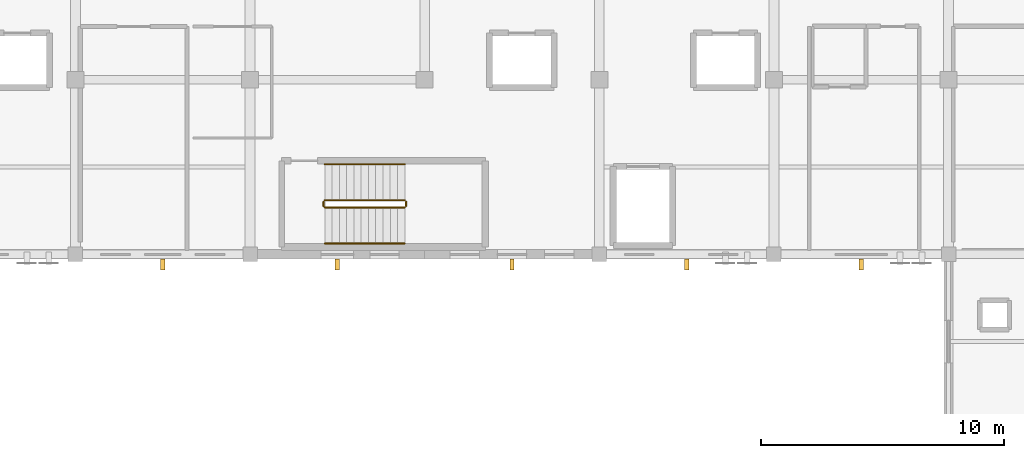
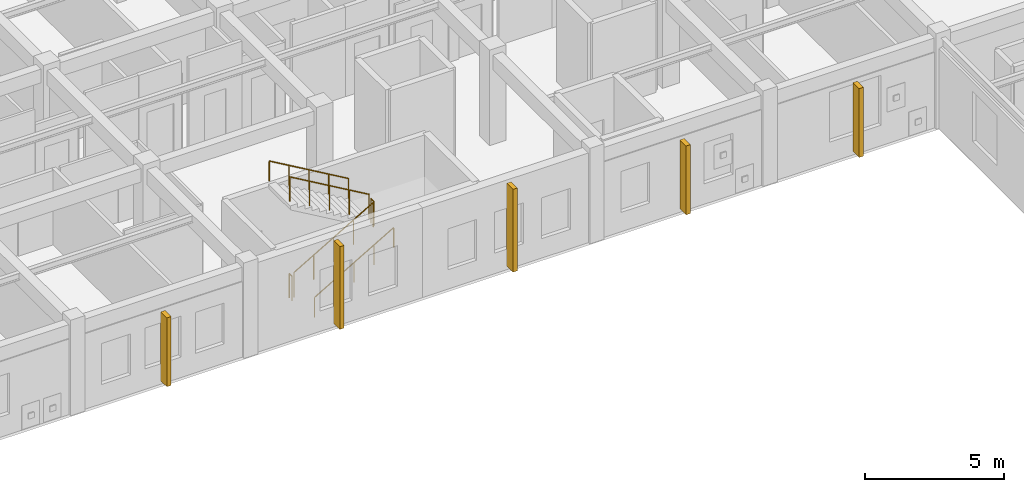
# One storey, part 108 of 113: 6 railings, 5 shading devices.
"""IFC4 building model written with IfcOpenShell, lengths in metres."""

from ifc_helpers import new_model, si_unit, direction, frame, origin, origin_2d, place, context, subcontext, project, spatial, rectangle, circle, extrude, material, layer, layer_set, type_object, element, save


model = new_model("IFC4")

# Units and contexts
model_context = context("Model", 3, precision=1e-05, world=origin(), true_north=direction((0.0, 1.0)))
body_context = subcontext(model_context, "Body", "Model", "MODEL_VIEW")
ifc_project = project(units=[si_unit("LENGTHUNIT", "METRE"), si_unit("AREAUNIT", "SQUARE_METRE"), si_unit("VOLUMEUNIT", "CUBIC_METRE"), si_unit("PLANEANGLEUNIT", "RADIAN"), si_unit("MASSUNIT", "GRAM", prefix="KILO")], contexts=[model_context])

# Site, building, storey
site_placement = place(None, origin())
site = spatial("IfcSite", under=ifc_project, at=site_placement, CompositionType="ELEMENT")
building_placement = place(site_placement, origin())
building = spatial("IfcBuilding", under=site, at=building_placement, Name="Carrowvane Square Congress Hotel", CompositionType="ELEMENT")
storey_placement = place(building_placement, frame((0.0, 0.0, 15.0)))
storey = spatial("IfcBuildingStorey", under=building, at=storey_placement, Name="L03", CompositionType="ELEMENT", Elevation=15.0)

# Railings
ifc_material_1 = material(Name="Stainless steel 316", Category="steel")
ifc_layer_1 = layer(ifc_material_1, 0.048095703125)
ifc_layer_set_1 = layer_set([ifc_layer_1], Name="Stainless steel 316")
railing_type_1 = type_object("IfcRailingType", Name="RLG-HR-900", PredefinedType="HANDRAIL", material=ifc_layer_set_1)
railing_1_placement = place(storey_placement, frame((101.080078125, 92.25, 0.175048828125)))
element("IfcRailing", 1, at=railing_1_placement, inside=storey, type_object=railing_type_1, Name="L03 ST3 stair handrail 1", PredefinedType="HANDRAIL", context=body_context, shape_type="SweptSolid", body=[
    extrude(circle(Radius=0.02392578125, at=origin_2d()), frame((0.0, 0.0, 0.8759765625), z_axis=(0.863760357493, 0.0, 0.503902812876), x_axis=(0.0, 1.0, 0.0)), (0.0, 0.0, 1.0), 3.8203125),
    extrude(circle(Radius=0.02099609375, at=origin_2d()), origin(), (0.0, 0.0, 1.0), 0.851806640625),
    extrude(circle(Radius=0.02099609375, at=origin_2d()), frame((0.824951171875, 0.0, 0.481201171875)), (0.0, 0.0, 1.0), 0.851806640625),
    extrude(circle(Radius=0.02099609375, at=origin_2d()), frame((1.64990234375, 0.0, 0.96240234375)), (0.0, 0.0, 1.0), 0.851806640625),
    extrude(circle(Radius=0.02099609375, at=origin_2d()), frame((2.474853515625, 0.0, 1.44384765625)), (0.0, 0.0, 1.0), 0.851806640625),
    extrude(circle(Radius=0.02099609375, at=origin_2d()), frame((3.2998046875, 0.0, 1.925048828125)), (0.0, 0.0, 1.0), 0.851806640625),
])
railing_2_placement = place(storey_placement, frame((104.3798828125, 95.510009765625, 2.27490234375)))
element("IfcRailing", 2, at=railing_2_placement, inside=storey, type_object=railing_type_1, Name="L03 ST3 stair handrail 2", PredefinedType="HANDRAIL", context=body_context, shape_type="SweptSolid", body=[
    extrude(circle(Radius=0.02392578125, at=origin_2d()), frame((0.0, 0.0, 0.8759765625), z_axis=(-0.863760357493, 0.0, 0.503902812876), x_axis=(0.0, -1.0, 0.0)), (0.0, 0.0, 1.0), 3.8203125),
    extrude(circle(Radius=0.02099609375, at=origin_2d()), origin(), (0.0, 0.0, 1.0), 0.851806640625),
    extrude(circle(Radius=0.02099609375, at=origin_2d()), frame((-0.824951171875, 0.0, 0.481201171875)), (0.0, 0.0, 1.0), 0.851806640625),
    extrude(circle(Radius=0.02099609375, at=origin_2d()), frame((-1.64990234375, 0.0, 0.96240234375)), (0.0, 0.0, 1.0), 0.851806640625),
    extrude(circle(Radius=0.02099609375, at=origin_2d()), frame((-2.474853515625, 0.0, 1.44384765625)), (0.0, 0.0, 1.0), 0.851806640625),
    extrude(circle(Radius=0.02099609375, at=origin_2d()), frame((-3.2998046875, 0.0, 1.925048828125)), (0.0, 0.0, 1.0), 0.851806640625),
])
ifc_material_2 = material(Name="Galvanised steel", Category="steel")
ifc_layer_2 = layer(ifc_material_2, 0.048095703125)
ifc_layer_set_2 = layer_set([ifc_layer_2], Name="Galvanised steel")
railing_type_2 = type_object("IfcRailingType", Name="RLG-STG-1100", PredefinedType="GUARDRAIL", material=ifc_layer_set_2)
railing_3_placement = place(storey_placement, frame((101.080078125, 93.72998046875, 0.175048828125)))
element("IfcRailing", 3, at=railing_3_placement, inside=storey, type_object=railing_type_2, Name="L03 ST3 stair guard 1", PredefinedType="GUARDRAIL", context=body_context, shape_type="SweptSolid", body=[
    extrude(circle(Radius=0.02392578125, at=origin_2d()), frame((0.0, 0.0, 1.076171875), z_axis=(0.863760357493, 0.0, 0.503902812876), x_axis=(0.0, 1.0, 0.0)), (0.0, 0.0, 1.0), 3.8203125),
    extrude(circle(Radius=0.02099609375, at=origin_2d()), origin(), (0.0, 0.0, 1.0), 1.052001953125),
    extrude(circle(Radius=0.02099609375, at=origin_2d()), frame((0.824951171875, 0.0, 0.481201171875)), (0.0, 0.0, 1.0), 1.052001953125),
    extrude(circle(Radius=0.02099609375, at=origin_2d()), frame((1.64990234375, 0.0, 0.96240234375)), (0.0, 0.0, 1.0), 1.052001953125),
    extrude(circle(Radius=0.02099609375, at=origin_2d()), frame((2.474853515625, 0.0, 1.44384765625)), (0.0, 0.0, 1.0), 1.052001953125),
    extrude(circle(Radius=0.02099609375, at=origin_2d()), frame((3.2998046875, 0.0, 1.925048828125)), (0.0, 0.0, 1.0), 1.052001953125),
])
railing_4_placement = place(storey_placement, frame((104.429931640625, 93.780029296875, 2.10009765625)))
element("IfcRailing", 4, at=railing_4_placement, inside=storey, type_object=railing_type_2, Name="L03 ST3 stair guard 2", PredefinedType="GUARDRAIL", context=body_context, shape_type="SweptSolid", body=[
    extrude(circle(Radius=0.02392578125, at=origin_2d()), frame((0.0, 0.0, 1.076171875), z_axis=(0.0, 1.0, 0.0), x_axis=(-1.0, 0.0, 0.0)), (0.0, 0.0, 1.0), 0.199951171875),
    extrude(circle(Radius=0.02099609375, at=origin_2d()), origin(), (0.0, 0.0, 1.0), 1.052001953125),
    extrude(circle(Radius=0.02099609375, at=origin_2d()), frame((0.0, 0.199951171875, 0.0)), (0.0, 0.0, 1.0), 1.052001953125),
])
railing_5_placement = place(storey_placement, frame((104.3798828125, 94.030029296875, 2.27490234375)))
element("IfcRailing", 5, at=railing_5_placement, inside=storey, type_object=railing_type_2, Name="L03 ST3 stair guard 3", PredefinedType="GUARDRAIL", context=body_context, shape_type="SweptSolid", body=[
    extrude(circle(Radius=0.02392578125, at=origin_2d()), frame((0.0, 0.0, 1.076171875), z_axis=(-0.863760357493, 0.0, 0.503902812876), x_axis=(0.0, -1.0, 0.0)), (0.0, 0.0, 1.0), 3.8203125),
    extrude(circle(Radius=0.02099609375, at=origin_2d()), origin(), (0.0, 0.0, 1.0), 1.052001953125),
    extrude(circle(Radius=0.02099609375, at=origin_2d()), frame((-0.824951171875, 0.0, 0.481201171875)), (0.0, 0.0, 1.0), 1.052001953125),
    extrude(circle(Radius=0.02099609375, at=origin_2d()), frame((-1.64990234375, 0.0, 0.96240234375)), (0.0, 0.0, 1.0), 1.052001953125),
    extrude(circle(Radius=0.02099609375, at=origin_2d()), frame((-2.474853515625, 0.0, 1.44384765625)), (0.0, 0.0, 1.0), 1.052001953125),
    extrude(circle(Radius=0.02099609375, at=origin_2d()), frame((-3.2998046875, 0.0, 1.925048828125)), (0.0, 0.0, 1.0), 1.052001953125),
])
railing_6_placement = place(storey_placement, frame((101.030029296875, 93.780029296875, 0.0)))
element("IfcRailing", 6, at=railing_6_placement, inside=storey, type_object=railing_type_2, Name="L03 ST3 stair guard 4", PredefinedType="GUARDRAIL", context=body_context, shape_type="SweptSolid", body=[
    extrude(circle(Radius=0.02392578125, at=origin_2d()), frame((0.0, 0.0, 1.076171875), z_axis=(0.0, 1.0, 0.0), x_axis=(-1.0, 0.0, 0.0)), (0.0, 0.0, 1.0), 0.199951171875),
    extrude(circle(Radius=0.02099609375, at=origin_2d()), origin(), (0.0, 0.0, 1.0), 1.052001953125),
    extrude(circle(Radius=0.02099609375, at=origin_2d()), frame((0.0, 0.199951171875, 0.0)), (0.0, 0.0, 1.0), 1.052001953125),
])

# Shading devices
ifc_material_3 = material(Name="Portland limestone cladding", Category="masonry")
shading_device_type = type_object("IfcShadingDeviceType", Name="SHD-FIN-LS", PredefinedType="USERDEFINED", material=ifc_material_3)
for number, where, z_axis, x_axis, name in (
    (7, (123.199951171875, 91.389892578125, 0.150146484375), (0.0, 0.0, 1.0), (-1.0, 0.0, 0.0), "Limestone brise-soleil fin 20"),
    (8, (116.0, 91.389892578125, 0.150146484375), (0.0, 0.0, 1.0), (-1.0, 0.0, 0.0), "Limestone brise-soleil fin 21"),
):
    element("IfcShadingDevice", number, at=place(storey_placement, frame(where, z_axis=z_axis, x_axis=x_axis)), inside=storey, type_object=shading_device_type, Name=name, ObjectType="FIN", PredefinedType="USERDEFINED", context=body_context, shape_type="SweptSolid", body=[
        extrude(rectangle(XDim=0.179931640625, YDim=0.449951171875, at=origin_2d()), origin(), (0.0, 0.0, 1.0), 3.02490234375),
    ])
for number, where, z_axis, x_axis, name in (
    (9, (108.800048828125, 91.389892578125, 0.14990234375), (0.0, 0.0, 1.0), (-1.0, 0.0, 0.0), "Limestone brise-soleil fin 22"),
    (10, (101.60009765625, 91.389892578125, 0.14990234375), (0.0, 0.0, 1.0), (-1.0, 0.0, 0.0), "Limestone brise-soleil fin 23"),
):
    element("IfcShadingDevice", number, at=place(storey_placement, frame(where, z_axis=z_axis, x_axis=x_axis)), inside=storey, type_object=shading_device_type, Name=name, ObjectType="FIN", PredefinedType="USERDEFINED", context=body_context, shape_type="SweptSolid", body=[
        extrude(rectangle(XDim=0.179931640625, YDim=0.449951171875, at=origin_2d()), origin(), (0.0, 0.0, 1.0), 3.639892578125),
    ])
shading_device_placement = place(storey_placement, frame((94.39990234375, 91.389892578125, 0.150146484375), z_axis=(0.0, 0.0, 1.0), x_axis=(-1.0, 0.0, 0.0)))
element("IfcShadingDevice", 11, at=shading_device_placement, inside=storey, type_object=shading_device_type, Name="Limestone brise-soleil fin 24", ObjectType="FIN", PredefinedType="USERDEFINED", context=body_context, shape_type="SweptSolid", body=[
    extrude(rectangle(XDim=0.179931640625, YDim=0.449951171875, at=origin_2d()), origin(), (0.0, 0.0, 1.0), 3.02490234375),
])

save(model, "model.ifc")
